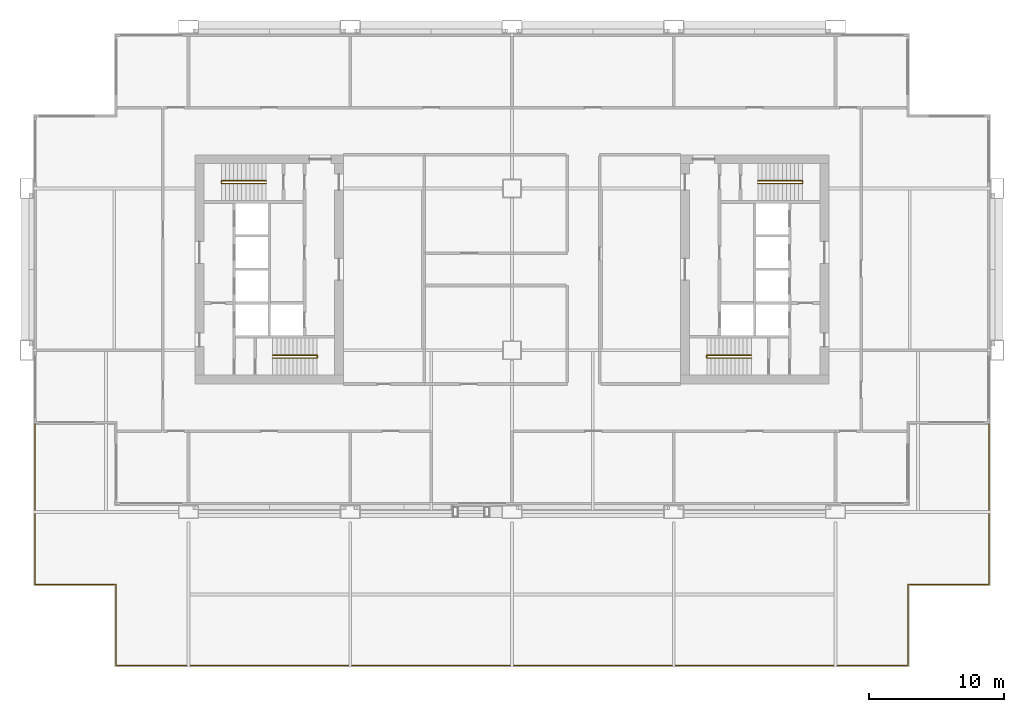
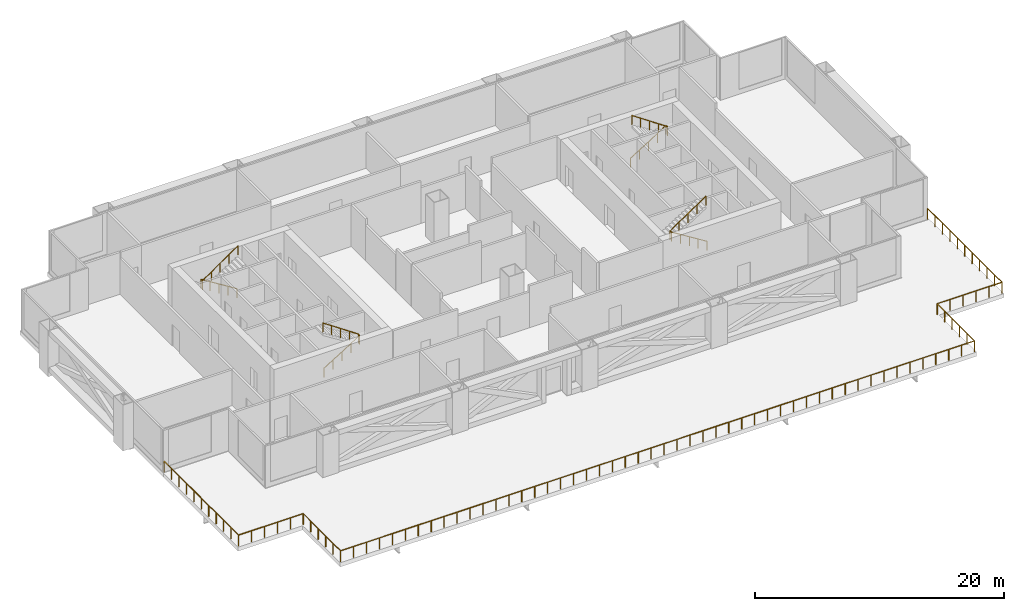
# One storey, part 8 of 8: 5 railings.
"""IFC4 building model written with IfcOpenShell, lengths in metres."""

import ifcopenshell
import ifcopenshell.guid

model = None  # the IFC model being written
_history = None  # IfcOwnerHistory: only IFC2X3 demands one
_inside = {}  # id of a spatial element -> (the spatial element, [elements in it])
_under = {}  # id of a project, library or spatial element -> (it, [spatial elements below it])
_declared = {}  # id of a project -> (the project, [libraries it declares])
_typed = {}  # id of a type object -> (the type object, [elements of that type])
_made_of = {}  # id of a material, layer set ... -> (it, [elements and type objects made of it])


def new_model(schema):
    """Start an empty IFC model of exactly this schema.

    Asked for "IFC4X3", IfcOpenShell would pick the latest addendum, in which some entities
    have other attributes; the version numbers below select the first issue.
    IFC2X3 requires an IfcOwnerHistory on every rooted entity: one is made here for all.
    """
    global model, _history
    if schema == "IFC4X3":
        model = ifcopenshell.file(schema_version=(4, 3, 0, 0))
    else:
        model = ifcopenshell.file(schema=schema)
    _inside.clear()
    _under.clear()
    _declared.clear()
    _typed.clear()
    _made_of.clear()
    _history = None
    if model.schema == "IFC2X3":
        org = make("IfcOrganization", Name="unknown")
        user = make(
            "IfcPersonAndOrganization",
            ThePerson=make("IfcPerson", FamilyName="unknown"),
            TheOrganization=org,
        )
        app = make(
            "IfcApplication",
            ApplicationDeveloper=org,
            Version="unknown",
            ApplicationFullName="unknown",
            ApplicationIdentifier="unknown",
        )
        _history = make(
            "IfcOwnerHistory",
            OwningUser=user,
            OwningApplication=app,
            ChangeAction="ADDED",
            CreationDate=0,
        )
    return model


def make(cls, **values):
    """One entity of the class cls with the attributes given. An attribute that is None is left unset."""
    return model.create_entity(
        cls, **{name: value for name, value in values.items() if value is not None}
    )


def rooted(cls, **values):
    """An entity with a GlobalId (a new one), such as an element, a storey or a relation."""
    return make(cls, GlobalId=ifcopenshell.guid.new(), OwnerHistory=_history, **values)


def si_unit(unit_type, name, prefix=None):
    """IfcSIUnit, for example si_unit("LENGTHUNIT", "METRE", prefix="MILLI")."""
    return make("IfcSIUnit", UnitType=unit_type, Prefix=prefix, Name=name)


def assignment(units):
    """IfcUnitAssignment: the units of a project."""
    return None if units is None else make("IfcUnitAssignment", Units=units)


def point(xyz):
    """IfcCartesianPoint."""
    return None if xyz is None else make("IfcCartesianPoint", Coordinates=xyz)


def direction(xyz):
    """IfcDirection."""
    return None if xyz is None else make("IfcDirection", DirectionRatios=xyz)


def frame(location, z_axis=None, x_axis=None):
    """IfcAxis2Placement3D, a coordinate frame: its origin and axes. An axis left out is left unset."""
    return make(
        "IfcAxis2Placement3D",
        Location=point(location),
        Axis=direction(z_axis),
        RefDirection=direction(x_axis),
    )


def frame_2d(location, x_axis=None):
    """IfcAxis2Placement2D, a coordinate frame in the plane: its origin and x axis."""
    return make(
        "IfcAxis2Placement2D", Location=point(location), RefDirection=direction(x_axis)
    )


def origin():
    """The frame at (0, 0, 0) with its axes left unset."""
    return frame((0.0, 0.0, 0.0))


def origin_2d():
    """The frame at (0, 0) in the plane with its x axis left unset."""
    return frame_2d((0.0, 0.0))


def place(relative_to, where):
    """IfcLocalPlacement: puts the frame where relative to a parent placement (None: the world)."""
    return make(
        "IfcLocalPlacement", PlacementRelTo=relative_to, RelativePlacement=where
    )


def context(
    kind, dimensions, precision=None, world=None, true_north=None, identifier=None
):
    """IfcGeometricRepresentationContext, for example the 3D "Model" context."""
    return make(
        "IfcGeometricRepresentationContext",
        ContextIdentifier=identifier,
        ContextType=kind,
        CoordinateSpaceDimension=dimensions,
        Precision=precision,
        WorldCoordinateSystem=world,
        TrueNorth=true_north,
    )


def subcontext(parent, identifier, kind, view, scale=None):
    """IfcGeometricRepresentationSubContext, for example "Body" below "Model"."""
    return make(
        "IfcGeometricRepresentationSubContext",
        ContextIdentifier=identifier,
        ContextType=kind,
        ParentContext=parent,
        TargetScale=scale,
        TargetView=view,
    )


def project(units=None, contexts=None):
    """IfcProject with its units and contexts."""
    return rooted(
        "IfcProject",
        Name="project",
        RepresentationContexts=contexts,
        UnitsInContext=assignment(units),
    )


def spatial(cls, under=None, at=None, **own):
    """A site, building, storey or space (cls), placed at a placement, below another one or the project."""
    s = rooted(cls, ObjectPlacement=at, **own)
    if under is not None:
        _under.setdefault(under.id(), (under, []))[1].append(s)
    return s


def profile(cls, at=None, kind="AREA", **sizes):
    """A parametric profile (cls). Its sizes go by their IFC names, for example OverallWidth=200.0."""
    return make(cls, ProfileType=kind, Position=at, **sizes)


def circle(**sizes):
    """IfcCircleProfileDef."""
    return profile("IfcCircleProfileDef", **sizes)


def extrude(swept, where, along, depth):
    """IfcExtrudedAreaSolid: the profile swept, set in the frame where, extruded along a direction by depth."""
    return make(
        "IfcExtrudedAreaSolid",
        SweptArea=swept,
        Position=where,
        ExtrudedDirection=direction(along),
        Depth=depth,
    )


def shape(context_of_items, identifier, shape_type, items):
    """IfcShapeRepresentation: the items that make up one representation, for example the "Body"."""
    return make(
        "IfcShapeRepresentation",
        ContextOfItems=context_of_items,
        RepresentationIdentifier=identifier,
        RepresentationType=shape_type,
        Items=items,
    )


def material(Name=None, Category=None):
    """IfcMaterial."""
    return make("IfcMaterial", Name=Name, Category=Category)


def made_of(thing, what):
    """Note that an element or type object is made of a material, layer set ...; save() writes the relation."""
    if what is not None:
        _made_of.setdefault(what.id(), (what, []))[1].append(thing)
    return thing


def type_object(cls, material=None, **own):
    """A type object (cls), such as IfcWallType, which elements share."""
    return made_of(rooted(cls, **own), material)


def element(
    cls,
    number,
    at=None,
    inside=None,
    cuts=None,
    type_object=None,
    material=None,
    context=None,
    identifier="Body",
    shape_type=None,
    held_by="IfcProductDefinitionShape",
    body=None,
    shapes=None,
    **own,
):
    """One element of the class cls, such as IfcWall. Its Tag is "e" and its number.

    at: its placement. inside: the storey or other place that contains it. cuts: it is an
    opening in that element (IfcRelVoidsElement). A single representation is given by context,
    identifier, shape_type and body (its items); several are given by shapes. held_by: the class
    of the entity that holds the representations. save() writes the other relations.
    """
    e = rooted(cls, Tag="e%d" % number, ObjectPlacement=at, **own)
    if body is not None:
        shapes = [shape(context, identifier, shape_type, body)]
    if shapes is not None:
        e.Representation = make(held_by, Representations=shapes)
    if inside is not None:
        _inside.setdefault(inside.id(), (inside, []))[1].append(e)
    if cuts is not None:
        rooted(
            "IfcRelVoidsElement", RelatingBuildingElement=cuts, RelatedOpeningElement=e
        )
    if type_object is not None:
        _typed.setdefault(type_object.id(), (type_object, []))[1].append(e)
    return made_of(e, material)


def aggregate(whole, parts):
    """IfcRelAggregates: a whole, such as a stair, and the parts it consists of."""
    return rooted("IfcRelAggregates", RelatingObject=whole, RelatedObjects=parts)


def save(model, path):
    """Write the relations noted so far, then the file.

    IfcRelAggregates (storeys below a building ...), IfcRelContainedInSpatialStructure (elements
    in a storey), IfcRelDefinesByType, IfcRelAssociatesMaterial and IfcRelDeclares: one each for
    every whole, place, type object, material and project.
    """
    for whole, parts in _under.values():
        aggregate(whole, parts)
    for where, things in _inside.values():
        rooted(
            "IfcRelContainedInSpatialStructure",
            RelatedElements=things,
            RelatingStructure=where,
        )
    for kind, things in _typed.values():
        rooted("IfcRelDefinesByType", RelatedObjects=things, RelatingType=kind)
    for what, things in _made_of.values():
        rooted("IfcRelAssociatesMaterial", RelatedObjects=things, RelatingMaterial=what)
    for by, libraries in _declared.values():
        rooted("IfcRelDeclares", RelatingContext=by, RelatedDefinitions=libraries)
    model.write(path)


model = new_model("IFC4")

# Units and contexts
model_context = context("Model", 3, precision=1e-05, world=origin(), true_north=direction((0.0, 1.0)))
body_context = subcontext(model_context, "Body", "Model", "MODEL_VIEW")
ifc_project = project(units=[si_unit("LENGTHUNIT", "METRE"), si_unit("AREAUNIT", "SQUARE_METRE"), si_unit("VOLUMEUNIT", "CUBIC_METRE"), si_unit("PLANEANGLEUNIT", "RADIAN"), si_unit("MASSUNIT", "GRAM", prefix="KILO")], contexts=[model_context])

# Site, building, storey
site_placement = place(None, origin())
site = spatial("IfcSite", under=ifc_project, at=site_placement, CompositionType="ELEMENT")
building_placement = place(site_placement, origin())
building = spatial("IfcBuilding", under=site, at=building_placement, Name="Kitamizu Gate Tower and Museum", CompositionType="ELEMENT")
storey_placement = place(building_placement, frame((0.0, 0.0, 92.10009765625)))
storey = spatial("IfcBuildingStorey", under=building, at=storey_placement, Name="L23", CompositionType="ELEMENT", Elevation=92.10009765625)

# Railings
ifc_material_1 = material(Name="Stainless steel SUS304 with toughened glass infill", Category="steel")
railing_type_1 = type_object("IfcRailingType", Name="GUARD 1100", PredefinedType="GUARDRAIL", material=ifc_material_1)
railing_1_placement = place(storey_placement, frame((71.3798828125, 18.56005859375, 0.0)))
element("IfcRailing", 1, at=railing_1_placement, inside=storey, type_object=railing_type_1, Name="Guard L23 terrace 1", PredefinedType="GUARDRAIL", context=body_context, shape_type="SweptSolid", body=[
    extrude(circle(Radius=0.02490234375, at=origin_2d()), frame((0.0, 0.0, 1.0751953125), z_axis=(0.0, -1.0, 0.0), x_axis=(1.0, 0.0, 0.0)), (0.0, 0.0, 1.0), 11.93994140625),
    extrude(circle(Radius=0.02490234375, at=origin_2d()), frame((0.0, -11.93994140625, 1.0751953125), z_axis=(-1.0, 0.0, 0.0), x_axis=(0.0, -1.0, 0.0)), (0.0, 0.0, 1.0), 6.0),
    extrude(circle(Radius=0.02490234375, at=origin_2d()), frame((-6.0, -11.93994140625, 1.0751953125), z_axis=(0.0, -1.0, 0.0), x_axis=(1.0, 0.0, 0.0)), (0.0, 0.0, 1.0), 6.0),
    extrude(circle(Radius=0.02490234375, at=origin_2d()), frame((-6.0, -17.93994140625, 1.0751953125), z_axis=(-1.0, 0.0, 0.0), x_axis=(0.0, -1.0, 0.0)), (0.0, 0.0, 1.0), 58.759765625),
    extrude(circle(Radius=0.02490234375, at=origin_2d()), frame((-64.759765625, -17.93994140625, 1.0751953125), z_axis=(0.0, 1.0, 0.0), x_axis=(-1.0, 0.0, 0.0)), (0.0, 0.0, 1.0), 6.0),
    extrude(circle(Radius=0.02490234375, at=origin_2d()), frame((-64.759765625, -11.93994140625, 1.0751953125), z_axis=(-1.0, 0.0, 0.0), x_axis=(0.0, -1.0, 0.0)), (0.0, 0.0, 1.0), 6.0),
    extrude(circle(Radius=0.02490234375, at=origin_2d()), frame((-70.759765625, -11.93994140625, 1.0751953125), z_axis=(0.0, 1.0, 0.0), x_axis=(-1.0, 0.0, 0.0)), (0.0, 0.0, 1.0), 11.93994140625),
    extrude(circle(Radius=0.02490234375, at=origin_2d()), origin(), (0.0, 0.0, 1.0), 1.050048828125),
    extrude(circle(Radius=0.02490234375, at=origin_2d()), frame((0.0, -1.194091796875, 0.0)), (0.0, 0.0, 1.0), 1.050048828125),
    extrude(circle(Radius=0.02490234375, at=origin_2d()), frame((0.0, -2.387939453125, 0.0)), (0.0, 0.0, 1.0), 1.050048828125),
    extrude(circle(Radius=0.02490234375, at=origin_2d()), frame((0.0, -3.58203125, 0.0)), (0.0, 0.0, 1.0), 1.050048828125),
    extrude(circle(Radius=0.02490234375, at=origin_2d()), frame((0.0, -4.77587890625, 0.0)), (0.0, 0.0, 1.0), 1.050048828125),
    extrude(circle(Radius=0.02490234375, at=origin_2d()), frame((0.0, -5.969970703125, 0.0)), (0.0, 0.0, 1.0), 1.050048828125),
    extrude(circle(Radius=0.02490234375, at=origin_2d()), frame((0.0, -7.1640625, 0.0)), (0.0, 0.0, 1.0), 1.050048828125),
    extrude(circle(Radius=0.02490234375, at=origin_2d()), frame((0.0, -8.35791015625, 0.0)), (0.0, 0.0, 1.0), 1.050048828125),
    extrude(circle(Radius=0.02490234375, at=origin_2d()), frame((0.0, -9.552001953125, 0.0)), (0.0, 0.0, 1.0), 1.050048828125),
    extrude(circle(Radius=0.02490234375, at=origin_2d()), frame((0.0, -10.745849609375, 0.0)), (0.0, 0.0, 1.0), 1.050048828125),
    extrude(circle(Radius=0.02490234375, at=origin_2d()), frame((0.0, -11.93994140625, 0.0)), (0.0, 0.0, 1.0), 1.050048828125),
    extrude(circle(Radius=0.02490234375, at=origin_2d()), frame((-1.199951171875, -11.93994140625, 0.0)), (0.0, 0.0, 1.0), 1.050048828125),
    extrude(circle(Radius=0.02490234375, at=origin_2d()), frame((-2.39990234375, -11.93994140625, 0.0)), (0.0, 0.0, 1.0), 1.050048828125),
    extrude(circle(Radius=0.02490234375, at=origin_2d()), frame((-3.60009765625, -11.93994140625, 0.0)), (0.0, 0.0, 1.0), 1.050048828125),
    extrude(circle(Radius=0.02490234375, at=origin_2d()), frame((-4.800048828125, -11.93994140625, 0.0)), (0.0, 0.0, 1.0), 1.050048828125),
    extrude(circle(Radius=0.02490234375, at=origin_2d()), frame((-6.0, -11.93994140625, 0.0)), (0.0, 0.0, 1.0), 1.050048828125),
    extrude(circle(Radius=0.02490234375, at=origin_2d()), frame((-6.0, -13.139892578125, 0.0)), (0.0, 0.0, 1.0), 1.050048828125),
    extrude(circle(Radius=0.02490234375, at=origin_2d()), frame((-6.0, -14.33984375, 0.0)), (0.0, 0.0, 1.0), 1.050048828125),
    extrude(circle(Radius=0.02490234375, at=origin_2d()), frame((-6.0, -15.5400390625, 0.0)), (0.0, 0.0, 1.0), 1.050048828125),
    extrude(circle(Radius=0.02490234375, at=origin_2d()), frame((-6.0, -16.739990234375, 0.0)), (0.0, 0.0, 1.0), 1.050048828125),
    extrude(circle(Radius=0.02490234375, at=origin_2d()), frame((-6.0, -17.93994140625, 0.0)), (0.0, 0.0, 1.0), 1.050048828125),
    extrude(circle(Radius=0.02490234375, at=origin_2d()), frame((-7.19921875, -17.93994140625, 0.0)), (0.0, 0.0, 1.0), 1.050048828125),
    extrude(circle(Radius=0.02490234375, at=origin_2d()), frame((-8.3984375, -17.93994140625, 0.0)), (0.0, 0.0, 1.0), 1.050048828125),
    extrude(circle(Radius=0.02490234375, at=origin_2d()), frame((-9.59765625, -17.93994140625, 0.0)), (0.0, 0.0, 1.0), 1.050048828125),
    extrude(circle(Radius=0.02490234375, at=origin_2d()), frame((-10.796630859375, -17.93994140625, 0.0)), (0.0, 0.0, 1.0), 1.050048828125),
    extrude(circle(Radius=0.02490234375, at=origin_2d()), frame((-11.995849609375, -17.93994140625, 0.0)), (0.0, 0.0, 1.0), 1.050048828125),
    extrude(circle(Radius=0.02490234375, at=origin_2d()), frame((-13.195068359375, -17.93994140625, 0.0)), (0.0, 0.0, 1.0), 1.050048828125),
    extrude(circle(Radius=0.02490234375, at=origin_2d()), frame((-14.394287109375, -17.93994140625, 0.0)), (0.0, 0.0, 1.0), 1.050048828125),
    extrude(circle(Radius=0.02490234375, at=origin_2d()), frame((-15.593505859375, -17.93994140625, 0.0)), (0.0, 0.0, 1.0), 1.050048828125),
    extrude(circle(Radius=0.02490234375, at=origin_2d()), frame((-16.792724609375, -17.93994140625, 0.0)), (0.0, 0.0, 1.0), 1.050048828125),
    extrude(circle(Radius=0.02490234375, at=origin_2d()), frame((-17.99169921875, -17.93994140625, 0.0)), (0.0, 0.0, 1.0), 1.050048828125),
    extrude(circle(Radius=0.02490234375, at=origin_2d()), frame((-19.19091796875, -17.93994140625, 0.0)), (0.0, 0.0, 1.0), 1.050048828125),
    extrude(circle(Radius=0.02490234375, at=origin_2d()), frame((-20.39013671875, -17.93994140625, 0.0)), (0.0, 0.0, 1.0), 1.050048828125),
    extrude(circle(Radius=0.02490234375, at=origin_2d()), frame((-21.58935546875, -17.93994140625, 0.0)), (0.0, 0.0, 1.0), 1.050048828125),
    extrude(circle(Radius=0.02490234375, at=origin_2d()), frame((-22.78857421875, -17.93994140625, 0.0)), (0.0, 0.0, 1.0), 1.050048828125),
    extrude(circle(Radius=0.02490234375, at=origin_2d()), frame((-23.98779296875, -17.93994140625, 0.0)), (0.0, 0.0, 1.0), 1.050048828125),
    extrude(circle(Radius=0.02490234375, at=origin_2d()), frame((-25.186767578125, -17.93994140625, 0.0)), (0.0, 0.0, 1.0), 1.050048828125),
    extrude(circle(Radius=0.02490234375, at=origin_2d()), frame((-26.385986328125, -17.93994140625, 0.0)), (0.0, 0.0, 1.0), 1.050048828125),
    extrude(circle(Radius=0.02490234375, at=origin_2d()), frame((-27.585205078125, -17.93994140625, 0.0)), (0.0, 0.0, 1.0), 1.050048828125),
    extrude(circle(Radius=0.02490234375, at=origin_2d()), frame((-28.784423828125, -17.93994140625, 0.0)), (0.0, 0.0, 1.0), 1.050048828125),
    extrude(circle(Radius=0.02490234375, at=origin_2d()), frame((-29.983642578125, -17.93994140625, 0.0)), (0.0, 0.0, 1.0), 1.050048828125),
    extrude(circle(Radius=0.02490234375, at=origin_2d()), frame((-31.182861328125, -17.93994140625, 0.0)), (0.0, 0.0, 1.0), 1.050048828125),
    extrude(circle(Radius=0.02490234375, at=origin_2d()), frame((-32.3818359375, -17.93994140625, 0.0)), (0.0, 0.0, 1.0), 1.050048828125),
    extrude(circle(Radius=0.02490234375, at=origin_2d()), frame((-33.5810546875, -17.93994140625, 0.0)), (0.0, 0.0, 1.0), 1.050048828125),
    extrude(circle(Radius=0.02490234375, at=origin_2d()), frame((-34.7802734375, -17.93994140625, 0.0)), (0.0, 0.0, 1.0), 1.050048828125),
    extrude(circle(Radius=0.02490234375, at=origin_2d()), frame((-35.9794921875, -17.93994140625, 0.0)), (0.0, 0.0, 1.0), 1.050048828125),
    extrude(circle(Radius=0.02490234375, at=origin_2d()), frame((-37.1787109375, -17.93994140625, 0.0)), (0.0, 0.0, 1.0), 1.050048828125),
    extrude(circle(Radius=0.02490234375, at=origin_2d()), frame((-38.3779296875, -17.93994140625, 0.0)), (0.0, 0.0, 1.0), 1.050048828125),
    extrude(circle(Radius=0.02490234375, at=origin_2d()), frame((-39.576904296875, -17.93994140625, 0.0)), (0.0, 0.0, 1.0), 1.050048828125),
    extrude(circle(Radius=0.02490234375, at=origin_2d()), frame((-40.776123046875, -17.93994140625, 0.0)), (0.0, 0.0, 1.0), 1.050048828125),
    extrude(circle(Radius=0.02490234375, at=origin_2d()), frame((-41.975341796875, -17.93994140625, 0.0)), (0.0, 0.0, 1.0), 1.050048828125),
    extrude(circle(Radius=0.02490234375, at=origin_2d()), frame((-43.174560546875, -17.93994140625, 0.0)), (0.0, 0.0, 1.0), 1.050048828125),
    extrude(circle(Radius=0.02490234375, at=origin_2d()), frame((-44.373779296875, -17.93994140625, 0.0)), (0.0, 0.0, 1.0), 1.050048828125),
    extrude(circle(Radius=0.02490234375, at=origin_2d()), frame((-45.572998046875, -17.93994140625, 0.0)), (0.0, 0.0, 1.0), 1.050048828125),
    extrude(circle(Radius=0.02490234375, at=origin_2d()), frame((-46.77197265625, -17.93994140625, 0.0)), (0.0, 0.0, 1.0), 1.050048828125),
    extrude(circle(Radius=0.02490234375, at=origin_2d()), frame((-47.97119140625, -17.93994140625, 0.0)), (0.0, 0.0, 1.0), 1.050048828125),
    extrude(circle(Radius=0.02490234375, at=origin_2d()), frame((-49.17041015625, -17.93994140625, 0.0)), (0.0, 0.0, 1.0), 1.050048828125),
    extrude(circle(Radius=0.02490234375, at=origin_2d()), frame((-50.36962890625, -17.93994140625, 0.0)), (0.0, 0.0, 1.0), 1.050048828125),
    extrude(circle(Radius=0.02490234375, at=origin_2d()), frame((-51.56884765625, -17.93994140625, 0.0)), (0.0, 0.0, 1.0), 1.050048828125),
    extrude(circle(Radius=0.02490234375, at=origin_2d()), frame((-52.76806640625, -17.93994140625, 0.0)), (0.0, 0.0, 1.0), 1.050048828125),
    extrude(circle(Radius=0.02490234375, at=origin_2d()), frame((-53.967041015625, -17.93994140625, 0.0)), (0.0, 0.0, 1.0), 1.050048828125),
    extrude(circle(Radius=0.02490234375, at=origin_2d()), frame((-55.166259765625, -17.93994140625, 0.0)), (0.0, 0.0, 1.0), 1.050048828125),
    extrude(circle(Radius=0.02490234375, at=origin_2d()), frame((-56.365478515625, -17.93994140625, 0.0)), (0.0, 0.0, 1.0), 1.050048828125),
    extrude(circle(Radius=0.02490234375, at=origin_2d()), frame((-57.564697265625, -17.93994140625, 0.0)), (0.0, 0.0, 1.0), 1.050048828125),
    extrude(circle(Radius=0.02490234375, at=origin_2d()), frame((-58.763916015625, -17.93994140625, 0.0)), (0.0, 0.0, 1.0), 1.050048828125),
    extrude(circle(Radius=0.02490234375, at=origin_2d()), frame((-59.963134765625, -17.93994140625, 0.0)), (0.0, 0.0, 1.0), 1.050048828125),
    extrude(circle(Radius=0.02490234375, at=origin_2d()), frame((-61.162109375, -17.93994140625, 0.0)), (0.0, 0.0, 1.0), 1.050048828125),
    extrude(circle(Radius=0.02490234375, at=origin_2d()), frame((-62.361328125, -17.93994140625, 0.0)), (0.0, 0.0, 1.0), 1.050048828125),
    extrude(circle(Radius=0.02490234375, at=origin_2d()), frame((-63.560546875, -17.93994140625, 0.0)), (0.0, 0.0, 1.0), 1.050048828125),
    extrude(circle(Radius=0.02490234375, at=origin_2d()), frame((-64.759765625, -17.93994140625, 0.0)), (0.0, 0.0, 1.0), 1.050048828125),
    extrude(circle(Radius=0.02490234375, at=origin_2d()), frame((-64.759765625, -16.739990234375, 0.0)), (0.0, 0.0, 1.0), 1.050048828125),
    extrude(circle(Radius=0.02490234375, at=origin_2d()), frame((-64.759765625, -15.5400390625, 0.0)), (0.0, 0.0, 1.0), 1.050048828125),
    extrude(circle(Radius=0.02490234375, at=origin_2d()), frame((-64.759765625, -14.33984375, 0.0)), (0.0, 0.0, 1.0), 1.050048828125),
    extrude(circle(Radius=0.02490234375, at=origin_2d()), frame((-64.759765625, -13.139892578125, 0.0)), (0.0, 0.0, 1.0), 1.050048828125),
    extrude(circle(Radius=0.02490234375, at=origin_2d()), frame((-64.759765625, -11.93994140625, 0.0)), (0.0, 0.0, 1.0), 1.050048828125),
    extrude(circle(Radius=0.02490234375, at=origin_2d()), frame((-65.959716796875, -11.93994140625, 0.0)), (0.0, 0.0, 1.0), 1.050048828125),
    extrude(circle(Radius=0.02490234375, at=origin_2d()), frame((-67.15966796875, -11.93994140625, 0.0)), (0.0, 0.0, 1.0), 1.050048828125),
    extrude(circle(Radius=0.02490234375, at=origin_2d()), frame((-68.35986328125, -11.93994140625, 0.0)), (0.0, 0.0, 1.0), 1.050048828125),
    extrude(circle(Radius=0.02490234375, at=origin_2d()), frame((-69.559814453125, -11.93994140625, 0.0)), (0.0, 0.0, 1.0), 1.050048828125),
    extrude(circle(Radius=0.02490234375, at=origin_2d()), frame((-70.759765625, -11.93994140625, 0.0)), (0.0, 0.0, 1.0), 1.050048828125),
    extrude(circle(Radius=0.02490234375, at=origin_2d()), frame((-70.759765625, -10.745849609375, 0.0)), (0.0, 0.0, 1.0), 1.050048828125),
    extrude(circle(Radius=0.02490234375, at=origin_2d()), frame((-70.759765625, -9.552001953125, 0.0)), (0.0, 0.0, 1.0), 1.050048828125),
    extrude(circle(Radius=0.02490234375, at=origin_2d()), frame((-70.759765625, -8.35791015625, 0.0)), (0.0, 0.0, 1.0), 1.050048828125),
    extrude(circle(Radius=0.02490234375, at=origin_2d()), frame((-70.759765625, -7.1640625, 0.0)), (0.0, 0.0, 1.0), 1.050048828125),
    extrude(circle(Radius=0.02490234375, at=origin_2d()), frame((-70.759765625, -5.969970703125, 0.0)), (0.0, 0.0, 1.0), 1.050048828125),
    extrude(circle(Radius=0.02490234375, at=origin_2d()), frame((-70.759765625, -4.77587890625, 0.0)), (0.0, 0.0, 1.0), 1.050048828125),
    extrude(circle(Radius=0.02490234375, at=origin_2d()), frame((-70.759765625, -3.58203125, 0.0)), (0.0, 0.0, 1.0), 1.050048828125),
    extrude(circle(Radius=0.02490234375, at=origin_2d()), frame((-70.759765625, -2.387939453125, 0.0)), (0.0, 0.0, 1.0), 1.050048828125),
    extrude(circle(Radius=0.02490234375, at=origin_2d()), frame((-70.759765625, -1.194091796875, 0.0)), (0.0, 0.0, 1.0), 1.050048828125),
    extrude(circle(Radius=0.02490234375, at=origin_2d()), frame((-70.759765625, 0.0, 0.0)), (0.0, 0.0, 1.0), 1.050048828125),
])
ifc_material_2 = material(Name="Stainless steel SUS304", Category="steel")
railing_type_2 = type_object("IfcRailingType", Name="Stair handrail 900", PredefinedType="HANDRAIL", material=ifc_material_2)
railing_2_placement = place(storey_placement, frame((18.25, 23.425048828125, 0.1875)))
element("IfcRailing", 2, at=railing_2_placement, inside=storey, type_object=railing_type_2, Name="Stair handrail ST1", PredefinedType="HANDRAIL", context=body_context, shape_type="SweptSolid", body=[
    extrude(circle(Radius=0.02392578125, at=origin_2d()), frame((0.0, 0.0, 0.8759765625), z_axis=(0.848001828478, 0.0, 0.529993300805), x_axis=(0.0, 1.0, 0.0)), (0.0, 0.0, 1.0), 3.8916015625),
    extrude(circle(Radius=0.02392578125, at=origin_2d()), frame((3.300048828125, 0.0, 2.9384765625), z_axis=(0.0, 1.0, 0.0), x_axis=(-1.0, 0.0, 0.0)), (0.0, 0.0, 1.0), 0.199951171875),
    extrude(circle(Radius=0.02392578125, at=origin_2d()), frame((3.300048828125, 0.199951171875, 2.9384765625), z_axis=(-0.826231222393, 0.0, 0.56333113454), x_axis=(0.0, -1.0, 0.0)), (0.0, 0.0, 1.0), 3.994140625),
    extrude(circle(Radius=0.02099609375, at=origin_2d()), origin(), (0.0, 0.0, 1.0), 0.851806640625),
    extrude(circle(Radius=0.02099609375, at=origin_2d()), frame((0.824951171875, 0.0, 0.515625)), (0.0, 0.0, 1.0), 0.851806640625),
    extrude(circle(Radius=0.02099609375, at=origin_2d()), frame((1.64990234375, 0.0, 1.03125)), (0.0, 0.0, 1.0), 0.851806640625),
    extrude(circle(Radius=0.02099609375, at=origin_2d()), frame((2.47509765625, 0.0, 1.546875)), (0.0, 0.0, 1.0), 0.851806640625),
    extrude(circle(Radius=0.02099609375, at=origin_2d()), frame((3.300048828125, 0.0, 2.0625)), (0.0, 0.0, 1.0), 0.851806640625),
    extrude(circle(Radius=0.02099609375, at=origin_2d()), frame((3.300048828125, 0.199951171875, 2.0625)), (0.0, 0.0, 1.0), 0.851806640625),
    extrude(circle(Radius=0.02099609375, at=origin_2d()), frame((2.47509765625, 0.199951171875, 2.625)), (0.0, 0.0, 1.0), 0.851806640625),
    extrude(circle(Radius=0.02099609375, at=origin_2d()), frame((1.64990234375, 0.199951171875, 3.1875)), (0.0, 0.0, 1.0), 0.851806640625),
    extrude(circle(Radius=0.02099609375, at=origin_2d()), frame((0.824951171875, 0.199951171875, 3.75)), (0.0, 0.0, 1.0), 0.851806640625),
    extrude(circle(Radius=0.02099609375, at=origin_2d()), frame((0.0, 0.199951171875, 4.3125)), (0.0, 0.0, 1.0), 0.851806640625),
])
railing_3_placement = place(storey_placement, frame((17.75, 36.574951171875, 0.1875)))
element("IfcRailing", 3, at=railing_3_placement, inside=storey, type_object=railing_type_2, Name="Stair handrail ST2", PredefinedType="HANDRAIL", context=body_context, shape_type="SweptSolid", body=[
    extrude(circle(Radius=0.02392578125, at=origin_2d()), frame((0.0, 0.0, 0.8759765625), z_axis=(-0.848001828478, 0.0, 0.529993300805), x_axis=(0.0, -1.0, 0.0)), (0.0, 0.0, 1.0), 3.8916015625),
    extrude(circle(Radius=0.02392578125, at=origin_2d()), frame((-3.300048828125, 0.0, 2.9384765625), z_axis=(0.0, -1.0, 0.0), x_axis=(1.0, 0.0, 0.0)), (0.0, 0.0, 1.0), 0.199951171875),
    extrude(circle(Radius=0.02392578125, at=origin_2d()), frame((-3.300048828125, -0.199951171875, 2.9384765625), z_axis=(0.826231222393, 0.0, 0.56333113454), x_axis=(0.0, 1.0, 0.0)), (0.0, 0.0, 1.0), 3.994140625),
    extrude(circle(Radius=0.02099609375, at=origin_2d()), origin(), (0.0, 0.0, 1.0), 0.851806640625),
    extrude(circle(Radius=0.02099609375, at=origin_2d()), frame((-0.824951171875, 0.0, 0.515625)), (0.0, 0.0, 1.0), 0.851806640625),
    extrude(circle(Radius=0.02099609375, at=origin_2d()), frame((-1.64990234375, 0.0, 1.03125)), (0.0, 0.0, 1.0), 0.851806640625),
    extrude(circle(Radius=0.02099609375, at=origin_2d()), frame((-2.47509765625, 0.0, 1.546875)), (0.0, 0.0, 1.0), 0.851806640625),
    extrude(circle(Radius=0.02099609375, at=origin_2d()), frame((-3.300048828125, 0.0, 2.0625)), (0.0, 0.0, 1.0), 0.851806640625),
    extrude(circle(Radius=0.02099609375, at=origin_2d()), frame((-3.300048828125, -0.199951171875, 2.0625)), (0.0, 0.0, 1.0), 0.851806640625),
    extrude(circle(Radius=0.02099609375, at=origin_2d()), frame((-2.47509765625, -0.199951171875, 2.625)), (0.0, 0.0, 1.0), 0.851806640625),
    extrude(circle(Radius=0.02099609375, at=origin_2d()), frame((-1.64990234375, -0.199951171875, 3.1875)), (0.0, 0.0, 1.0), 0.851806640625),
    extrude(circle(Radius=0.02099609375, at=origin_2d()), frame((-0.824951171875, -0.199951171875, 3.75)), (0.0, 0.0, 1.0), 0.851806640625),
    extrude(circle(Radius=0.02099609375, at=origin_2d()), frame((0.0, -0.199951171875, 4.3125)), (0.0, 0.0, 1.0), 0.851806640625),
])
railing_4_placement = place(storey_placement, frame((53.75, 23.425048828125, 0.1875)))
element("IfcRailing", 4, at=railing_4_placement, inside=storey, type_object=railing_type_2, Name="Stair handrail ST3", PredefinedType="HANDRAIL", context=body_context, shape_type="SweptSolid", body=[
    extrude(circle(Radius=0.02392578125, at=origin_2d()), frame((0.0, 0.0, 0.8759765625), z_axis=(-0.848001828478, 0.0, 0.529993300805), x_axis=(0.0, -1.0, 0.0)), (0.0, 0.0, 1.0), 3.8916015625),
    extrude(circle(Radius=0.02392578125, at=origin_2d()), frame((-3.300048828125, 0.0, 2.9384765625), z_axis=(0.0, 1.0, 0.0), x_axis=(-1.0, 0.0, 0.0)), (0.0, 0.0, 1.0), 0.199951171875),
    extrude(circle(Radius=0.02392578125, at=origin_2d()), frame((-3.300048828125, 0.199951171875, 2.9384765625), z_axis=(0.826231222393, 0.0, 0.56333113454), x_axis=(0.0, 1.0, 0.0)), (0.0, 0.0, 1.0), 3.994140625),
    extrude(circle(Radius=0.02099609375, at=origin_2d()), origin(), (0.0, 0.0, 1.0), 0.851806640625),
    extrude(circle(Radius=0.02099609375, at=origin_2d()), frame((-0.824951171875, 0.0, 0.515625)), (0.0, 0.0, 1.0), 0.851806640625),
    extrude(circle(Radius=0.02099609375, at=origin_2d()), frame((-1.64990234375, 0.0, 1.03125)), (0.0, 0.0, 1.0), 0.851806640625),
    extrude(circle(Radius=0.02099609375, at=origin_2d()), frame((-2.47509765625, 0.0, 1.546875)), (0.0, 0.0, 1.0), 0.851806640625),
    extrude(circle(Radius=0.02099609375, at=origin_2d()), frame((-3.300048828125, 0.0, 2.0625)), (0.0, 0.0, 1.0), 0.851806640625),
    extrude(circle(Radius=0.02099609375, at=origin_2d()), frame((-3.300048828125, 0.199951171875, 2.0625)), (0.0, 0.0, 1.0), 0.851806640625),
    extrude(circle(Radius=0.02099609375, at=origin_2d()), frame((-2.47509765625, 0.199951171875, 2.625)), (0.0, 0.0, 1.0), 0.851806640625),
    extrude(circle(Radius=0.02099609375, at=origin_2d()), frame((-1.64990234375, 0.199951171875, 3.1875)), (0.0, 0.0, 1.0), 0.851806640625),
    extrude(circle(Radius=0.02099609375, at=origin_2d()), frame((-0.824951171875, 0.199951171875, 3.75)), (0.0, 0.0, 1.0), 0.851806640625),
    extrude(circle(Radius=0.02099609375, at=origin_2d()), frame((0.0, 0.199951171875, 4.3125)), (0.0, 0.0, 1.0), 0.851806640625),
])
railing_5_placement = place(storey_placement, frame((54.25, 36.574951171875, 0.1875)))
element("IfcRailing", 5, at=railing_5_placement, inside=storey, type_object=railing_type_2, Name="Stair handrail ST4", PredefinedType="HANDRAIL", context=body_context, shape_type="SweptSolid", body=[
    extrude(circle(Radius=0.02392578125, at=origin_2d()), frame((0.0, 0.0, 0.8759765625), z_axis=(0.848001828478, 0.0, 0.529993300805), x_axis=(0.0, 1.0, 0.0)), (0.0, 0.0, 1.0), 3.8916015625),
    extrude(circle(Radius=0.02392578125, at=origin_2d()), frame((3.300048828125, 0.0, 2.9384765625), z_axis=(0.0, -1.0, 0.0), x_axis=(1.0, 0.0, 0.0)), (0.0, 0.0, 1.0), 0.199951171875),
    extrude(circle(Radius=0.02392578125, at=origin_2d()), frame((3.300048828125, -0.199951171875, 2.9384765625), z_axis=(-0.826231222393, 0.0, 0.56333113454), x_axis=(0.0, -1.0, 0.0)), (0.0, 0.0, 1.0), 3.994140625),
    extrude(circle(Radius=0.02099609375, at=origin_2d()), origin(), (0.0, 0.0, 1.0), 0.851806640625),
    extrude(circle(Radius=0.02099609375, at=origin_2d()), frame((0.824951171875, 0.0, 0.515625)), (0.0, 0.0, 1.0), 0.851806640625),
    extrude(circle(Radius=0.02099609375, at=origin_2d()), frame((1.64990234375, 0.0, 1.03125)), (0.0, 0.0, 1.0), 0.851806640625),
    extrude(circle(Radius=0.02099609375, at=origin_2d()), frame((2.47509765625, 0.0, 1.546875)), (0.0, 0.0, 1.0), 0.851806640625),
    extrude(circle(Radius=0.02099609375, at=origin_2d()), frame((3.300048828125, 0.0, 2.0625)), (0.0, 0.0, 1.0), 0.851806640625),
    extrude(circle(Radius=0.02099609375, at=origin_2d()), frame((3.300048828125, -0.199951171875, 2.0625)), (0.0, 0.0, 1.0), 0.851806640625),
    extrude(circle(Radius=0.02099609375, at=origin_2d()), frame((2.47509765625, -0.199951171875, 2.625)), (0.0, 0.0, 1.0), 0.851806640625),
    extrude(circle(Radius=0.02099609375, at=origin_2d()), frame((1.64990234375, -0.199951171875, 3.1875)), (0.0, 0.0, 1.0), 0.851806640625),
    extrude(circle(Radius=0.02099609375, at=origin_2d()), frame((0.824951171875, -0.199951171875, 3.75)), (0.0, 0.0, 1.0), 0.851806640625),
    extrude(circle(Radius=0.02099609375, at=origin_2d()), frame((0.0, -0.199951171875, 4.3125)), (0.0, 0.0, 1.0), 0.851806640625),
])

save(model, "model.ifc")
